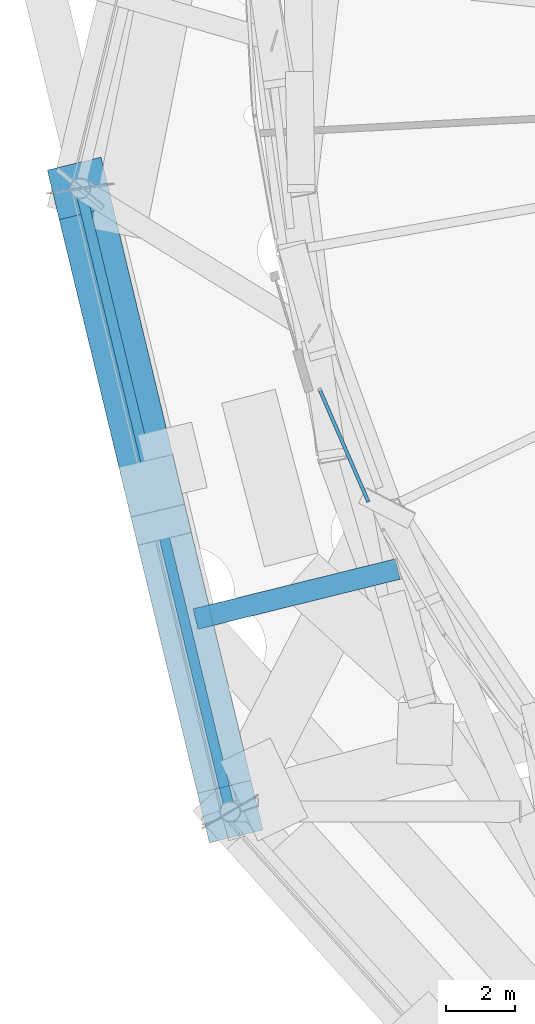
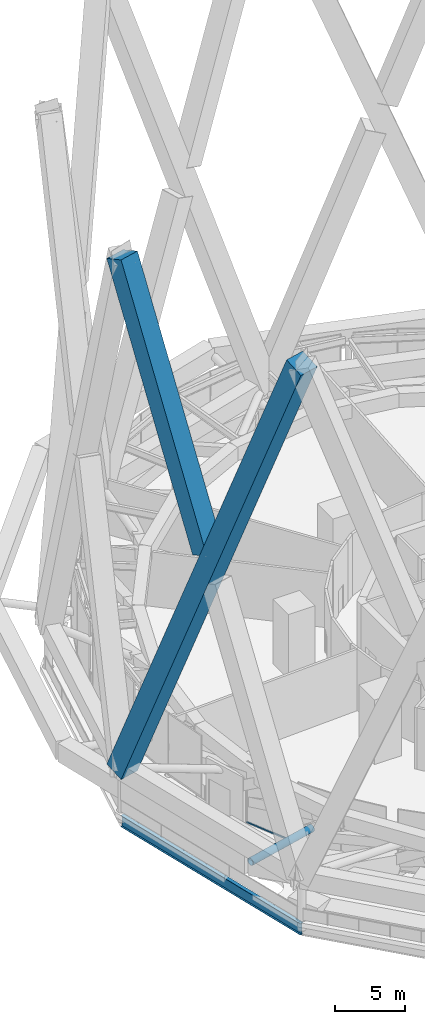
# One storey, part 5 of 65: 4 members, 1 beam, 1 element without a shape of its own.
"""IFC4 building model written with IfcOpenShell, lengths in metres."""

from ifc_helpers import new_model, si_unit, direction, frame, origin, origin_2d, place, context, subcontext, project, spatial, rectangle, hollow_circle, i_section, extrude, material, layer, layer_set, material_profile, profile_set, type_object, element, aggregate, save


model = new_model("IFC4")

# Units and contexts
model_context = context("Model", 3, precision=1e-05, world=origin(), true_north=direction((0.0, 1.0)))
body_context = subcontext(model_context, "Body", "Model", "MODEL_VIEW")
ifc_project = project(units=[si_unit("LENGTHUNIT", "METRE"), si_unit("AREAUNIT", "SQUARE_METRE"), si_unit("VOLUMEUNIT", "CUBIC_METRE"), si_unit("PLANEANGLEUNIT", "RADIAN"), si_unit("MASSUNIT", "GRAM", prefix="KILO")], contexts=[model_context])

# Site, building, storey
site_placement = place(None, origin())
site = spatial("IfcSite", under=ifc_project, at=site_placement, CompositionType="ELEMENT")
building_placement = place(site_placement, origin())
building = spatial("IfcBuilding", under=site, at=building_placement, Name="Nagisa Residences", CompositionType="ELEMENT")
storey_placement = place(building_placement, frame((0.0, 0.0, 114.0)))
storey = spatial("IfcBuildingStorey", under=building, at=storey_placement, Name="L28", CompositionType="ELEMENT", Elevation=114.0)

# Curtain wall, member
ifc_material_1 = material(Name="Aluminium curtain wall system", Category="aluminium")
ifc_layer = layer(ifc_material_1, 0.159912109375)
ifc_layer_set = layer_set([ifc_layer], Name="CW5 CURTAIN WALL")
curtain_wall_type = type_object("IfcCurtainWallType", Name="CW5 CURTAIN WALL", PredefinedType="NOTDEFINED", material=ifc_layer_set)
curtain_wall_placement = place(storey_placement, origin())
curtain_wall = element("IfcCurtainWall", 1, at=curtain_wall_placement, inside=storey, type_object=curtain_wall_type, Name="cw:CW5:L28:27", PredefinedType="NOTDEFINED")
ifc_material_2 = material(Name="Aluminium", Category="aluminium")
ifc_material_profile_1 = material_profile(ifc_material_2, rectangle(XDim=0.10009765625, YDim=0.1201171875, at=origin_2d()), Name="CW5 TRANSOM 100x120")
ifc_profile_set_1 = profile_set([ifc_material_profile_1], Name="Aluminium")
member_type_1 = type_object("IfcMemberType", Name="CW5 TRANSOM 100x120", PredefinedType="USERDEFINED", material=ifc_profile_set_1)
member_1_placement = place(storey_placement, frame((-27.3134765625, -8.91064453125, 0.06005859375), z_axis=(0.397628492041, -0.917546501447, 0.0), x_axis=(0.917546501447, 0.397628492041, 0.0)))
member_1 = element("IfcMember", 2, at=member_1_placement, type_object=member_type_1, Name="CW5 transom", ObjectType="TRANSOM", PredefinedType="USERDEFINED", context=body_context, shape_type="SweptSolid", body=[
    extrude(rectangle(XDim=0.10009765625, YDim=0.1201171875, at=origin_2d()), origin(), (0.0, 0.0, 1.0), 3.57958984375),
])
aggregate(curtain_wall, [member_1])

# Members
ifc_material_3 = material(Name="Concrete C80", Category="concrete")
ifc_material_profile_2 = material_profile(ifc_material_3, rectangle(XDim=1.60009765625, YDim=1.60009765625, at=origin_2d()), Name="C80 1600x1600")
ifc_profile_set_2 = profile_set([ifc_material_profile_2], Name="Concrete C80")
member_type_2 = type_object("IfcMemberType", Name="Cage diagonal 3 C80 1600x1600", PredefinedType="BRACE", material=ifc_profile_set_2)
member_2_placement = place(storey_placement, frame((-34.235107421875, -3.11767578125, 3.699951171875), z_axis=(0.090123544947, -0.374302085124, 0.922916949524), x_axis=(0.972215489742, 0.234087679097, 0.0)))
element("IfcMember", 3, at=member_2_placement, inside=storey, type_object=member_type_2, Name="mem:L28:cg3d013", PredefinedType="BRACE", context=body_context, shape_type="SweptSolid", body=[
    extrude(rectangle(XDim=1.60009765625, YDim=1.60009765625, at=origin_2d()), origin(), (0.0, 0.0, 1.0), 48.216796875),
])
member_3_placement = place(storey_placement, frame((-32.161865234375, -11.7275390625, 26.970458984375), z_axis=(-0.090130792103, 0.374299636635, 0.922917234821), x_axis=(-0.972210857054, -0.234106918792, 0.0)))
element("IfcMember", 4, at=member_3_placement, inside=storey, type_object=member_type_2, Name="mem:L28:cg3d014b", PredefinedType="BRACE", context=body_context, shape_type="SweptSolid", body=[
    extrude(rectangle(XDim=1.60009765625, YDim=1.60009765625, at=origin_2d()), origin(), (0.0, 0.0, 1.0), 23.002685546875),
])
ifc_material_4 = material(Name="Steel ASTM A572 Gr 65", Category="steel")
ifc_material_profile_3 = material_profile(ifc_material_4, hollow_circle(Radius=0.304931640625, WallThickness=0.02490234375, at=origin_2d()), Name="CHS 610x25")
ifc_profile_set_3 = profile_set([ifc_material_profile_3], Name="Steel ASTM A572 Gr 65")
member_type_3 = type_object("IfcMemberType", Name="Cage strut CHS 610x25", PredefinedType="STRUT", material=ifc_profile_set_3)
member_4_placement = place(storey_placement, frame((-30.89404296875, -15.58984375, 1.89990234375), z_axis=(0.970734542726, 0.240155048996, 0.0), x_axis=(-0.240155048996, 0.970734542726, 0.0)))
element("IfcMember", 5, at=member_4_placement, inside=storey, type_object=member_type_3, Name="mem:L28:bt2st2a08", PredefinedType="STRUT", context=body_context, shape_type="SweptSolid", body=[
    extrude(hollow_circle(Radius=0.304931640625, WallThickness=0.02490234375, at=origin_2d()), origin(), (0.0, 0.0, 1.0), 6.034423828125),
])

# Beam
ifc_material_5 = material(Name="Steel ASTM A572 Gr 50", Category="steel")
ifc_material_profile_4 = material_profile(ifc_material_5, i_section(OverallWidth=0.300048828125, OverallDepth=0.97998046875, WebThickness=0.0166015625, FlangeThickness=0.02587890625, at=origin_2d()), Name="W1000x249")
ifc_profile_set_4 = profile_set([ifc_material_profile_4], Name="Steel ASTM A572 Gr 50")
beam_type = type_object("IfcBeamType", Name="Deck edge beam W1000x249", PredefinedType="BEAM", material=ifc_profile_set_4)
beam_placement = place(storey_placement, frame((-34.235107421875, -3.11767578125, -0.889892578125), z_axis=(0.234087679097, -0.972215489742, 0.0), x_axis=(0.972215489742, 0.234087679097, 0.0)))
element("IfcBeam", 6, at=beam_placement, inside=storey, type_object=beam_type, Name="beam:L28:deckedge05", PredefinedType="BEAM", context=body_context, shape_type="SweptSolid", body=[
    extrude(i_section(OverallWidth=0.300048828125, OverallDepth=0.97998046875, WebThickness=0.0166015625, FlangeThickness=0.02587890625, at=origin_2d()), origin(), (0.0, 0.0, 1.0), 18.5634765625),
])

save(model, "model.ifc")
